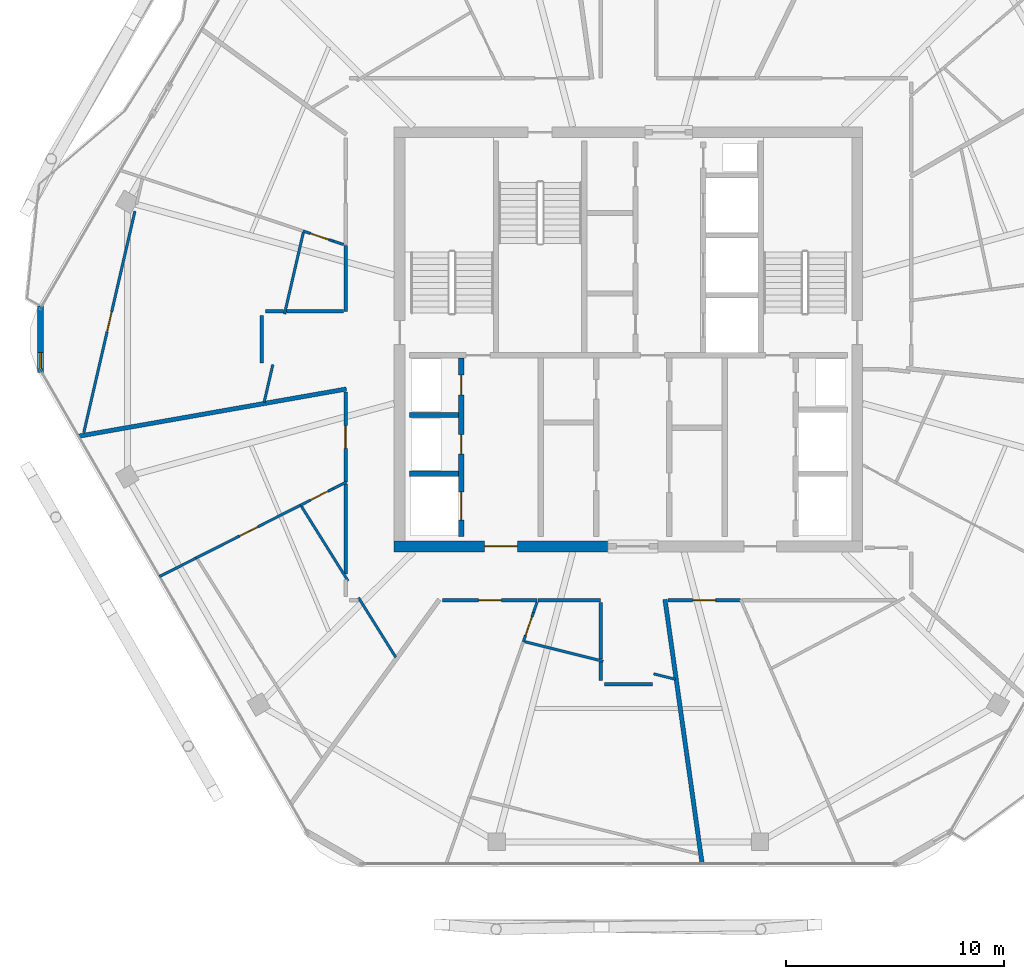
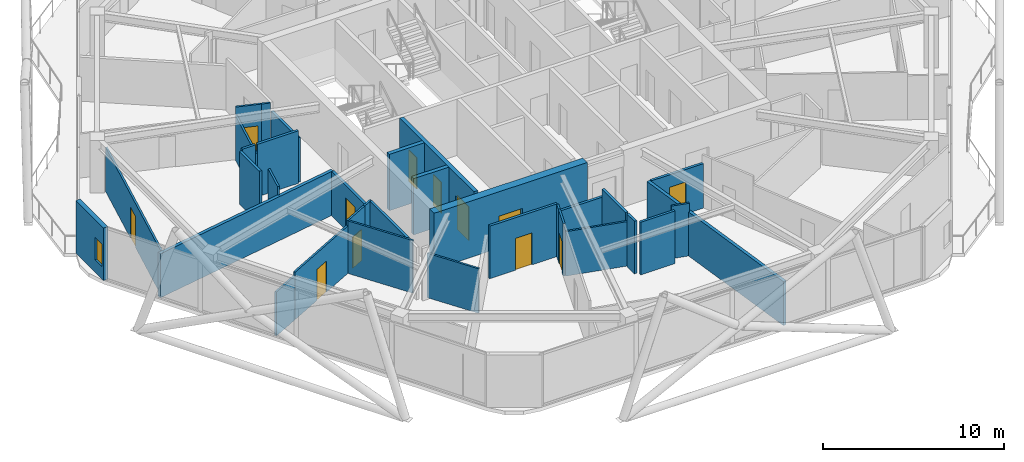
# One storey, part 16 of 23: 34 walls, 12 doors, 1 window, 13 openings.
"""IFC4 building model written with IfcOpenShell, lengths in metres."""

from ifc_helpers import new_model, si_unit, direction, frame, frame_2d, origin, place, context, subcontext, project, spatial, rectangle, extrude, material, layer, layer_set, type_object, element, fill, save


model = new_model("IFC4")

# Units and contexts
model_context = context("Model", 3, precision=1e-05, world=origin(), true_north=direction((0.0, 1.0)))
body_context = subcontext(model_context, "Body", "Model", "MODEL_VIEW")
ifc_project = project(units=[si_unit("LENGTHUNIT", "METRE"), si_unit("AREAUNIT", "SQUARE_METRE"), si_unit("VOLUMEUNIT", "CUBIC_METRE"), si_unit("PLANEANGLEUNIT", "RADIAN"), si_unit("MASSUNIT", "GRAM", prefix="KILO")], contexts=[model_context])

# Site, building, storey
site_placement = place(None, origin())
site = spatial("IfcSite", under=ifc_project, at=site_placement, CompositionType="ELEMENT")
building_placement = place(site_placement, origin())
building = spatial("IfcBuilding", under=site, at=building_placement, Name="Zuhravey Tower", CompositionType="ELEMENT")
storey_placement = place(building_placement, frame((0.0, 0.0, 315.800048828125)))
storey = spatial("IfcBuildingStorey", under=building, at=storey_placement, Name="L80", CompositionType="ELEMENT", Elevation=315.800048828125)

# Wall, opening, door
ifc_material_1 = material(Name="Concrete C50/60", Category="concrete")
ifc_layer_1 = layer(ifc_material_1, 0.5)
ifc_layer_set_1 = layer_set([ifc_layer_1], Name="Concrete C50/60")
wall_type_1 = type_object("IfcWallType", Name="Core Shear Wall 500", PredefinedType="SHEAR", material=ifc_layer_set_1)
wall_1_placement = place(storey_placement, frame((25.25, 22.5, 0.0), z_axis=(0.0, 0.0, 1.0), x_axis=(1.0, 0.0, 0.0)))
wall_1 = element("IfcWall", 1, at=wall_1_placement, inside=storey, type_object=wall_type_1, Name="L80 South-West Core Shear Wall CW50", PredefinedType="SHEAR", context=body_context, shape_type="SweptSolid", body=[
    extrude(rectangle(XDim=9.800048828125, YDim=0.5, at=frame_2d((4.89990234375, 0.0))), origin(), (0.0, 0.0, 1.0), 3.800048828125),
])
opening_1_placement = place(wall_1_placement, frame((4.14990234375, 0.0, 0.0)))
opening_1 = element("IfcOpeningElement", 2, at=opening_1_placement, cuts=wall_1, Name="Opening FFD1", PredefinedType="OPENING", context=body_context, shape_type="SweptSolid", body=[
    extrude(rectangle(XDim=1.5, YDim=2.14990234375, at=frame_2d((0.75, 1.074951171875))), frame((0.0, 0.261962890625, 0.0), z_axis=(0.0, -1.0, 0.0), x_axis=(1.0, 0.0, 0.0)), (0.0, 0.0, 1.0), 0.52392578125),
])
ifc_material_2 = material(Name="Galvanised fire-rated steel leaf", Category="steel")
door_type_1 = type_object("IfcDoorType", Name="Firefighting Lobby Double Door 1500x2150", OperationType="DOUBLE_DOOR_SINGLE_SWING", PredefinedType="DOOR", material=ifc_material_2)
door_1_placement = place(opening_1_placement, origin())
door_1 = element("IfcDoor", 3, at=door_1_placement, inside=storey, type_object=door_type_1, Name="L80 Firefighting Lobby West Door", OperationType="DOUBLE_DOOR_SINGLE_SWING", OverallHeight=2.14990234375, OverallWidth=1.5, PredefinedType="DOOR", context=body_context, shape_type="SweptSolid", body=[
    extrude(rectangle(XDim=1.5, YDim=2.14990234375, at=frame_2d((0.75, 1.074951171875))), frame((0.0, 0.02490234375, 0.0), z_axis=(0.0, -1.0, 0.0), x_axis=(1.0, 0.0, 0.0)), (0.0, 0.0, 1.0), 0.050048828125),
])
fill(opening_1, door_1)

ifc_material_3 = material(Name="Gypsum fire-rated stud partition")
ifc_layer_2 = layer(ifc_material_3, 0.159912109375)
ifc_layer_set_2 = layer_set([ifc_layer_2], Name="Gypsum fire-rated stud partition")
wall_type_2 = type_object("IfcWallType", Name="Corridor Fire Partition 160", PredefinedType="PARTITIONING", material=ifc_layer_set_2)
wall_2_placement = place(storey_placement, frame((23.02001953125, 29.573974609375, 0.0), z_axis=(0.0, 0.0, 1.0), x_axis=(0.0, -1.0, 0.0)))
wall_2 = element("IfcWall", 4, at=wall_2_placement, inside=storey, type_object=wall_type_2, Name="L80 IW16 Partition 031", PredefinedType="PARTITIONING", context=body_context, shape_type="SweptSolid", body=[
    extrude(rectangle(XDim=4.11962890625, YDim=0.159912109375, at=frame_2d((2.059814453125, 0.0))), origin(), (0.0, 0.0, 1.0), 3.0),
])
opening_2_placement = place(wall_2_placement, frame((1.534912109375, 0.0, 0.0)))
opening_2 = element("IfcOpeningElement", 5, at=opening_2_placement, cuts=wall_2, Name="Opening APD1", PredefinedType="OPENING", context=body_context, shape_type="SweptSolid", body=[
    extrude(rectangle(XDim=1.050048828125, YDim=2.14990234375, at=frame_2d((0.52490234375, 1.074951171875))), frame((0.0, 0.092041015625, 0.0), z_axis=(0.0, -1.0, 0.0), x_axis=(1.0, 0.0, 0.0)), (0.0, 0.0, 1.0), 0.183837890625),
])
ifc_material_4 = material(Name="Solid-core oak fire-rated leaf")
door_type_2 = type_object("IfcDoorType", Name="Apartment Entrance Fire Door 1050x2150", OperationType="NOTDEFINED", PredefinedType="DOOR", material=ifc_material_4)
door_2_placement = place(opening_2_placement, frame((1.050048828125, 0.0, 0.0), z_axis=(0.0, 0.0, 1.0), x_axis=(-1.0, 0.0, 0.0)))
door_2 = element("IfcDoor", 6, at=door_2_placement, inside=storey, type_object=door_type_2, Name="L80 Door 031.1", OperationType="SINGLE_SWING_RIGHT", OverallHeight=2.14990234375, OverallWidth=1.050048828125, PredefinedType="DOOR", context=body_context, shape_type="SweptSolid", body=[
    extrude(rectangle(XDim=1.050048828125, YDim=2.14990234375, at=frame_2d((0.52490234375, 1.074951171875))), frame((0.0, 0.02490234375, 0.0), z_axis=(0.0, -1.0, 0.0), x_axis=(1.0, 0.0, 0.0)), (0.0, 0.0, 1.0), 0.050048828125),
])
fill(opening_2, door_2)

wall_3_placement = place(storey_placement, frame((27.479248046875, 20.02001953125, 0.0), z_axis=(0.0, 0.0, 1.0), x_axis=(1.0, 0.0, 0.0)))
wall_3 = element("IfcWall", 7, at=wall_3_placement, inside=storey, type_object=wall_type_2, Name="L80 IW16 Partition 035", PredefinedType="PARTITIONING", context=body_context, shape_type="SweptSolid", body=[
    extrude(rectangle(XDim=4.337158203125, YDim=0.159912109375, at=frame_2d((2.16845703125, 0.0))), origin(), (0.0, 0.0, 1.0), 3.550048828125),
])
opening_3_placement = place(wall_3_placement, frame((1.6435546875, 0.0, 0.0)))
opening_3 = element("IfcOpeningElement", 8, at=opening_3_placement, cuts=wall_3, Name="Opening APD1", PredefinedType="OPENING", context=body_context, shape_type="SweptSolid", body=[
    extrude(rectangle(XDim=1.050048828125, YDim=2.14990234375, at=frame_2d((0.52490234375, 1.074951171875))), frame((0.0, 0.092041015625, 0.0), z_axis=(0.0, -1.0, 0.0), x_axis=(1.0, 0.0, 0.0)), (0.0, 0.0, 1.0), 0.183837890625),
])
door_3_placement = place(opening_3_placement, frame((1.050048828125, 0.0, 0.0), z_axis=(0.0, 0.0, 1.0), x_axis=(-1.0, 0.0, 0.0)))
door_3 = element("IfcDoor", 9, at=door_3_placement, inside=storey, type_object=door_type_2, Name="L80 Door 035.1", OperationType="SINGLE_SWING_RIGHT", OverallHeight=2.14990234375, OverallWidth=1.050048828125, PredefinedType="DOOR", context=body_context, shape_type="SweptSolid", body=[
    extrude(rectangle(XDim=1.050048828125, YDim=2.14990234375, at=frame_2d((0.52490234375, 1.074951171875))), frame((0.0, 0.02490234375, 0.0), z_axis=(0.0, -1.0, 0.0), x_axis=(1.0, 0.0, 0.0)), (0.0, 0.0, 1.0), 0.050048828125),
])
fill(opening_3, door_3)

wall_4_placement = place(storey_placement, frame((37.810546875, 20.02001953125, 0.0), z_axis=(0.0, 0.0, 1.0), x_axis=(1.0, 0.0, 0.0)))
wall_4 = element("IfcWall", 10, at=wall_4_placement, inside=storey, type_object=wall_type_2, Name="L80 IW16 Partition 039", PredefinedType="PARTITIONING", context=body_context, shape_type="SweptSolid", body=[
    extrude(rectangle(XDim=3.33203125, YDim=0.159912109375, at=frame_2d((1.666015625, 0.0))), origin(), (0.0, 0.0, 1.0), 3.0),
])
opening_4_placement = place(wall_4_placement, frame((1.14111328125, 0.0, 0.0)))
opening_4 = element("IfcOpeningElement", 11, at=opening_4_placement, cuts=wall_4, Name="Opening APD1", PredefinedType="OPENING", context=body_context, shape_type="SweptSolid", body=[
    extrude(rectangle(XDim=1.050048828125, YDim=2.14990234375, at=frame_2d((0.52490234375, 1.074951171875))), frame((0.0, 0.092041015625, 0.0), z_axis=(0.0, -1.0, 0.0), x_axis=(1.0, 0.0, 0.0)), (0.0, 0.0, 1.0), 0.183837890625),
])
door_4_placement = place(opening_4_placement, frame((1.050048828125, 0.0, 0.0), z_axis=(0.0, 0.0, 1.0), x_axis=(-1.0, 0.0, 0.0)))
door_4 = element("IfcDoor", 12, at=door_4_placement, inside=storey, type_object=door_type_2, Name="L80 Door 039.1", OperationType="SINGLE_SWING_RIGHT", OverallHeight=2.14990234375, OverallWidth=1.050048828125, PredefinedType="DOOR", context=body_context, shape_type="SweptSolid", body=[
    extrude(rectangle(XDim=1.050048828125, YDim=2.14990234375, at=frame_2d((0.52490234375, 1.074951171875))), frame((0.0, 0.02490234375, 0.0), z_axis=(0.0, -1.0, 0.0), x_axis=(1.0, 0.0, 0.0)), (0.0, 0.0, 1.0), 0.050048828125),
])
fill(opening_4, door_4)

# Walls
wall_5_placement = place(storey_placement, frame((23.02001953125, 36.296875, 0.0), z_axis=(0.0, 0.0, 1.0), x_axis=(0.0, -1.0, 0.0)))
element("IfcWall", 13, at=wall_5_placement, inside=storey, type_object=wall_type_2, Name="L80 IW16 Partition 096", PredefinedType="PARTITIONING", context=body_context, shape_type="SweptSolid", body=[
    extrude(rectangle(XDim=3.016845703125, YDim=0.159912109375, at=frame_2d((1.50830078125, 0.0))), origin(), (0.0, 0.0, 1.0), 3.0),
])
wall_6_placement = place(storey_placement, frame((22.931884765625, 33.280029296875, 0.0), z_axis=(0.0, 0.0, 1.0), x_axis=(-1.0, 0.0, 0.0)))
element("IfcWall", 14, at=wall_6_placement, inside=storey, type_object=wall_type_2, Name="L80 IW16 Partition 097", PredefinedType="PARTITIONING", context=body_context, shape_type="SweptSolid", body=[
    extrude(rectangle(XDim=2.6142578125, YDim=0.159912109375, at=frame_2d((1.30712890625, 0.0))), origin(), (0.0, 0.0, 1.0), 3.550048828125),
])
wall_7_placement = place(storey_placement, frame((19.169921875, 33.10009765625, 0.0), z_axis=(0.0, 0.0, 1.0), x_axis=(0.0, -1.0, 0.0)))
element("IfcWall", 15, at=wall_7_placement, inside=storey, type_object=wall_type_2, Name="L80 IW16 Partition 098", PredefinedType="PARTITIONING", context=body_context, shape_type="SweptSolid", body=[
    extrude(rectangle(XDim=2.2001953125, YDim=0.159912109375, at=frame_2d((1.10009765625, 0.0))), origin(), (0.0, 0.0, 1.0), 3.550048828125),
])
wall_8_placement = place(storey_placement, frame((20.177978515625, 33.280029296875, 0.0), z_axis=(0.0, 0.0, 1.0), x_axis=(-1.0, 0.0, 0.0)))
element("IfcWall", 16, at=wall_8_placement, inside=storey, type_object=wall_type_2, Name="L80 IW16 Partition 099", PredefinedType="PARTITIONING", context=body_context, shape_type="SweptSolid", body=[
    extrude(rectangle(XDim=0.827880859375, YDim=0.159912109375, at=frame_2d((0.4140625, 0.0))), origin(), (0.0, 0.0, 1.0), 3.550048828125),
])
wall_9_placement = place(storey_placement, frame((23.02001953125, 25.355712890625, 0.0), z_axis=(0.0, 0.0, 1.0), x_axis=(0.0, -1.0, 0.0)))
element("IfcWall", 17, at=wall_9_placement, inside=storey, type_object=wall_type_2, Name="L80 IW16 Partition 100", PredefinedType="PARTITIONING", context=body_context, shape_type="SweptSolid", body=[
    extrude(rectangle(XDim=4.131103515625, YDim=0.159912109375, at=frame_2d((2.0654296875, 0.0))), origin(), (0.0, 0.0, 1.0), 3.550048828125),
])
wall_10_placement = place(storey_placement, frame((31.858642578125, 20.02001953125, 0.0), z_axis=(0.0, 0.0, 1.0), x_axis=(1.0, 0.0, 0.0)))
element("IfcWall", 18, at=wall_10_placement, inside=storey, type_object=wall_type_2, Name="L80 IW16 Partition 103", PredefinedType="PARTITIONING", context=body_context, shape_type="SweptSolid", body=[
    extrude(rectangle(XDim=2.861328125, YDim=0.159912109375, at=frame_2d((1.4306640625, 0.0))), origin(), (0.0, 0.0, 1.0), 3.0),
])
wall_11_placement = place(storey_placement, frame((34.719970703125, 19.931884765625, 0.0), z_axis=(0.0, 0.0, 1.0), x_axis=(0.0, -1.0, 0.0)))
element("IfcWall", 19, at=wall_11_placement, inside=storey, type_object=wall_type_2, Name="L80 IW16 Partition 104", PredefinedType="PARTITIONING", context=body_context, shape_type="SweptSolid", body=[
    extrude(rectangle(XDim=2.60693359375, YDim=0.159912109375, at=frame_2d((1.303466796875, 0.0))), origin(), (0.0, 0.0, 1.0), 3.550048828125),
])
wall_12_placement = place(storey_placement, frame((34.89990234375, 16.169921875, 0.0), z_axis=(0.0, 0.0, 1.0), x_axis=(1.0, 0.0, 0.0)))
element("IfcWall", 20, at=wall_12_placement, inside=storey, type_object=wall_type_2, Name="L80 IW16 Partition 105", PredefinedType="PARTITIONING", context=body_context, shape_type="SweptSolid", body=[
    extrude(rectangle(XDim=2.2001953125, YDim=0.159912109375, at=frame_2d((1.10009765625, 0.0))), origin(), (0.0, 0.0, 1.0), 3.550048828125),
])
wall_13_placement = place(storey_placement, frame((34.719970703125, 17.184814453125, 0.0), z_axis=(0.0, 0.0, 1.0), x_axis=(0.0, -1.0, 0.0)))
element("IfcWall", 21, at=wall_13_placement, inside=storey, type_object=wall_type_2, Name="L80 IW16 Partition 106", PredefinedType="PARTITIONING", context=body_context, shape_type="SweptSolid", body=[
    extrude(rectangle(XDim=0.834716796875, YDim=0.159912109375, at=frame_2d((0.41748046875, 0.0))), origin(), (0.0, 0.0, 1.0), 3.550048828125),
])

# Wall, opening, window
ifc_material_5 = material(Name="Precast concrete C40/50", Category="concrete")
ifc_layer_3 = layer(ifc_material_5, 0.280029296875)
ifc_layer_set_3 = layer_set([ifc_layer_3], Name="Precast concrete C40/50")
wall_type_3 = type_object("IfcWallType", Name="Crown Architectural Wall 280", PredefinedType="SOLIDWALL", material=ifc_layer_set_3)
wall_14_placement = place(storey_placement, frame((9.031494140625, 30.467529296875, 0.0), z_axis=(0.0, 0.0, 1.0), x_axis=(0.0, 1.0, 0.0)))
wall_14 = element("IfcWall", 22, at=wall_14_placement, inside=storey, type_object=wall_type_3, Name="L80 Rounded Corner Closure Wall EW28-06", PredefinedType="SOLIDWALL", context=body_context, shape_type="SweptSolid", body=[
    extrude(rectangle(XDim=3.06494140625, YDim=0.280029296875, at=frame_2d((1.532470703125, 0.0))), origin(), (0.0, 0.0, 1.0), 3.550048828125),
])
opening_5_placement = place(wall_14_placement, frame((0.1728515625, 0.0, 0.85009765625)))
opening_5 = element("IfcOpeningElement", 23, at=opening_5_placement, cuts=wall_14, Name="Opening WN5", PredefinedType="OPENING", context=body_context, shape_type="SweptSolid", body=[
    extrude(rectangle(XDim=0.75, YDim=1.5, at=frame_2d((0.375, 0.75))), frame((0.0, 0.152099609375, 0.0), z_axis=(0.0, -1.0, 0.0), x_axis=(1.0, 0.0, 0.0)), (0.0, 0.0, 1.0), 0.303955078125),
])
ifc_material_6 = material(Name="Thermally broken aluminium and triple low-E glass", Category="aluminium")
window_type = type_object("IfcWindowType", Name="Residential Corner Casement Window 750x1500", PartitioningType="SINGLE_PANEL", PredefinedType="WINDOW", material=ifc_material_6)
window_placement = place(opening_5_placement, origin())
window = element("IfcWindow", 24, at=window_placement, inside=storey, type_object=window_type, Name="L80 Corner Casement Window WN5-06.1", OverallHeight=1.5, OverallWidth=0.75, PartitioningType="SINGLE_PANEL", PredefinedType="WINDOW", context=body_context, shape_type="SweptSolid", body=[
    extrude(rectangle(XDim=0.75, YDim=1.5, at=frame_2d((0.375, 0.75))), frame((0.0, 0.030029296875, 0.0), z_axis=(0.0, -1.0, 0.0), x_axis=(1.0, 0.0, 0.0)), (0.0, 0.0, 1.0), 0.06005859375),
])
fill(opening_5, window)

# Walls
ifc_layer_4 = layer(ifc_material_1, 0.25)
ifc_layer_set_4 = layer_set([ifc_layer_4], Name="Concrete C50/60")
wall_type_4 = type_object("IfcWallType", Name="Firefighting Shaft & Stair Wall 250", PredefinedType="SOLIDWALL", material=ifc_layer_set_4)
for number, where, z_axis, x_axis, name in (
    (25, (25.949951171875, 25.824951171875, 0.0), (0.0, 0.0, 1.0), (1.0, 0.0, 0.0), "L80 FW25 Shaft Wall 009"),
    (26, (25.949951171875, 28.52490234375, 0.0), (0.0, 0.0, 1.0), (1.0, 0.0, 0.0), "L80 FW25 Shaft Wall 010"),
):
    element("IfcWall", number, at=place(storey_placement, frame(where, z_axis=z_axis, x_axis=x_axis)), inside=storey, type_object=wall_type_4, Name=name, PredefinedType="SOLIDWALL", context=body_context, shape_type="SweptSolid", body=[
        extrude(rectangle(XDim=2.25, YDim=0.25, at=frame_2d((1.125, 0.0))), origin(), (0.0, 0.0, 1.0), 3.800048828125),
    ])

# Wall, openings, doors
wall_15_placement = place(storey_placement, frame((28.324951171875, 22.949951171875, 0.0), z_axis=(0.0, 0.0, 1.0), x_axis=(0.0, 1.0, 0.0)))
wall_15 = element("IfcWall", 27, at=wall_15_placement, inside=storey, type_object=wall_type_4, Name="L80 FW25 Shaft Wall 011", PredefinedType="SOLIDWALL", context=body_context, shape_type="SweptSolid", body=[
    extrude(rectangle(XDim=8.199951171875, YDim=0.25, at=frame_2d((4.10009765625, 0.0))), origin(), (0.0, 0.0, 1.0), 3.800048828125),
])
opening_6_placement = place(wall_15_placement, frame((0.75, 0.0, 0.0)))
opening_6 = element("IfcOpeningElement", 28, at=opening_6_placement, cuts=wall_15, Name="Opening LD2", PredefinedType="OPENING", context=body_context, shape_type="SweptSolid", body=[
    extrude(rectangle(XDim=1.300048828125, YDim=2.300048828125, at=frame_2d((0.64990234375, 1.14990234375))), frame((0.0, 0.136962890625, 0.0), z_axis=(0.0, -1.0, 0.0), x_axis=(1.0, 0.0, 0.0)), (0.0, 0.0, 1.0), 0.27392578125),
])
opening_7_placement = place(wall_15_placement, frame((3.780029296875, 0.0, 0.0)))
opening_7 = element("IfcOpeningElement", 29, at=opening_7_placement, cuts=wall_15, Name="Opening RSD1", PredefinedType="OPENING", context=body_context, shape_type="SweptSolid", body=[
    extrude(rectangle(XDim=0.89990234375, YDim=2.10009765625, at=frame_2d((0.449951171875, 1.050048828125))), frame((0.0, 0.136962890625, 0.0), z_axis=(0.0, -1.0, 0.0), x_axis=(1.0, 0.0, 0.0)), (0.0, 0.0, 1.0), 0.27392578125),
])
opening_8_placement = place(wall_15_placement, frame((6.5, 0.0, 0.0)))
opening_8 = element("IfcOpeningElement", 30, at=opening_8_placement, cuts=wall_15, Name="Opening RSD1", PredefinedType="OPENING", context=body_context, shape_type="SweptSolid", body=[
    extrude(rectangle(XDim=0.89990234375, YDim=2.10009765625, at=frame_2d((0.449951171875, 1.050048828125))), frame((0.0, 0.136962890625, 0.0), z_axis=(0.0, -1.0, 0.0), x_axis=(1.0, 0.0, 0.0)), (0.0, 0.0, 1.0), 0.27392578125),
])
ifc_material_7 = material(Name="Brushed stainless steel", Category="steel")
door_type_3 = type_object("IfcDoorType", Name="Freight & Stretcher Lift Sliding Door 1300x2300", OperationType="DOUBLE_DOOR_SLIDING", PredefinedType="DOOR", material=ifc_material_7)
door_5_placement = place(opening_6_placement, frame((1.300048828125, 0.0, 0.0), z_axis=(0.0, 0.0, 1.0), x_axis=(-1.0, 0.0, 0.0)))
door_5 = element("IfcDoor", 31, at=door_5_placement, inside=storey, type_object=door_type_3, Name="L80 Lift FF1 Landing Door", OperationType="DOUBLE_DOOR_SLIDING", OverallHeight=2.300048828125, OverallWidth=1.300048828125, PredefinedType="DOOR", context=body_context, shape_type="SweptSolid", body=[
    extrude(rectangle(XDim=1.300048828125, YDim=2.300048828125, at=frame_2d((0.64990234375, 1.14990234375))), frame((0.0, 0.02490234375, 0.0), z_axis=(0.0, -1.0, 0.0), x_axis=(1.0, 0.0, 0.0)), (0.0, 0.0, 1.0), 0.050048828125),
])
fill(opening_6, door_5)
ifc_material_8 = material(Name="Galvanised fire-rated steel access leaf", Category="steel")
door_type_4 = type_object("IfcDoorType", Name="Riser & Shaft Access Fire Door 900x2100", OperationType="NOTDEFINED", PredefinedType="DOOR", material=ifc_material_8)
door_6_placement = place(opening_7_placement, frame((0.89990234375, 0.0, 0.0), z_axis=(0.0, 0.0, 1.0), x_axis=(-1.0, 0.0, 0.0)))
door_6 = element("IfcDoor", 32, at=door_6_placement, inside=storey, type_object=door_type_4, Name="L80 Electrical Riser Door", OperationType="SINGLE_SWING_RIGHT", OverallHeight=2.10009765625, OverallWidth=0.89990234375, PredefinedType="DOOR", context=body_context, shape_type="SweptSolid", body=[
    extrude(rectangle(XDim=0.89990234375, YDim=2.10009765625, at=frame_2d((0.449951171875, 1.050048828125))), frame((0.0, 0.02490234375, 0.0), z_axis=(0.0, -1.0, 0.0), x_axis=(1.0, 0.0, 0.0)), (0.0, 0.0, 1.0), 0.050048828125),
])
fill(opening_7, door_6)
door_7_placement = place(opening_8_placement, frame((0.89990234375, 0.0, 0.0), z_axis=(0.0, 0.0, 1.0), x_axis=(-1.0, 0.0, 0.0)))
door_7 = element("IfcDoor", 33, at=door_7_placement, inside=storey, type_object=door_type_4, Name="L80 Smoke Shaft Access Door", OperationType="SINGLE_SWING_LEFT", OverallHeight=2.10009765625, OverallWidth=0.89990234375, PredefinedType="DOOR", context=body_context, shape_type="SweptSolid", body=[
    extrude(rectangle(XDim=0.89990234375, YDim=2.10009765625, at=frame_2d((0.449951171875, 1.050048828125))), frame((0.0, 0.02490234375, 0.0), z_axis=(0.0, -1.0, 0.0), x_axis=(1.0, 0.0, 0.0)), (0.0, 0.0, 1.0), 0.050048828125),
])
fill(opening_8, door_7)

# Walls
ifc_material_9 = material(Name="Gypsum double-stud party assembly")
ifc_layer_5 = layer(ifc_material_9, 0.199951171875)
ifc_layer_set_5 = layer_set([ifc_layer_5], Name="Gypsum double-stud party assembly")
wall_type_5 = type_object("IfcWallType", Name="Inter-Tenancy Party Wall 200", PredefinedType="PARTITIONING", material=ifc_layer_set_5)
wall_16_placement = place(storey_placement, frame((23.06005859375, 29.71826171875, 0.0), z_axis=(0.0, 0.0, 1.0), x_axis=(-0.984808757343, -0.173642481728, 0.0)))
element("IfcWall", 34, at=wall_16_placement, inside=storey, type_object=wall_type_5, Name="L80 IW20 Partition 069", PredefinedType="PARTITIONING", context=body_context, shape_type="SweptSolid", body=[
    extrude(rectangle(XDim=12.479736328125, YDim=0.199951171875, at=frame_2d((6.23974609375, 0.0))), origin(), (0.0, 0.0, 1.0), 2.969970703125),
])
wall_17_placement = place(storey_placement, frame((37.677978515625, 20.06005859375, 0.0), z_axis=(0.0, 0.0, 1.0), x_axis=(0.139169963781, -0.990268509638, 0.0)))
element("IfcWall", 35, at=wall_17_placement, inside=storey, type_object=wall_type_5, Name="L80 IW20 Partition 079", PredefinedType="PARTITIONING", context=body_context, shape_type="SweptSolid", body=[
    extrude(rectangle(XDim=12.25341796875, YDim=0.199951171875, at=frame_2d((6.126708984375, 0.0))), origin(), (0.0, 0.0, 1.0), 2.969970703125),
])

# Wall, opening, door
ifc_material_10 = material(Name="Gypsum metal-stud partition")
ifc_layer_6 = layer(ifc_material_10, 0.1201171875)
ifc_layer_set_6 = layer_set([ifc_layer_6], Name="Gypsum metal-stud partition")
wall_type_6 = type_object("IfcWallType", Name="Unit Internal Partition 120", PredefinedType="PARTITIONING", material=ifc_layer_set_6)
wall_18_placement = place(storey_placement, frame((22.449951171875, 36.507568359375, 0.0), z_axis=(0.0, 0.0, 1.0), x_axis=(-0.94886823131, 0.315672424532, 0.0)))
wall_18 = element("IfcWall", 36, at=wall_18_placement, inside=storey, type_object=wall_type_6, Name="L80 IW12 Partition 024", PredefinedType="PARTITIONING", context=body_context, shape_type="SweptSolid", body=[
    extrude(rectangle(XDim=1.450927734375, YDim=0.1201171875, at=frame_2d((0.7255859375, 0.0))), origin(), (0.0, 0.0, 1.0), 3.550048828125),
])
opening_9_placement = place(wall_18_placement, frame((0.199951171875, 0.0, 0.0)))
opening_9 = element("IfcOpeningElement", 37, at=opening_9_placement, cuts=wall_18, Name="Opening WCD1", PredefinedType="OPENING", context=body_context, shape_type="SweptSolid", body=[
    extrude(rectangle(XDim=0.89990234375, YDim=2.10009765625, at=frame_2d((0.449951171875, 1.050048828125))), frame((0.0, 0.072021484375, 0.0), z_axis=(0.0, -1.0, 0.0), x_axis=(1.0, 0.0, 0.0)), (0.0, 0.0, 1.0), 0.14404296875),
])
ifc_material_11 = material(Name="Moisture-resistant timber leaf", Category="wood")
door_type_5 = type_object("IfcDoorType", Name="Bathroom & WC Internal Door 900x2100", OperationType="NOTDEFINED", PredefinedType="DOOR", material=ifc_material_11)
door_8_placement = place(opening_9_placement, origin())
door_8 = element("IfcDoor", 38, at=door_8_placement, inside=storey, type_object=door_type_5, Name="Apartment L80-02 Bathroom Door", OperationType="SINGLE_SWING_LEFT", OverallHeight=2.10009765625, OverallWidth=0.89990234375, PredefinedType="DOOR", context=body_context, shape_type="SweptSolid", body=[
    extrude(rectangle(XDim=0.89990234375, YDim=2.10009765625, at=frame_2d((0.449951171875, 1.050048828125))), frame((0.0, 0.02490234375, 0.0), z_axis=(0.0, -1.0, 0.0), x_axis=(1.0, 0.0, 0.0)), (0.0, 0.0, 1.0), 0.050048828125),
])
fill(opening_9, door_8)

wall_19_placement = place(storey_placement, frame((13.3564453125, 37.88232421875, 0.0), z_axis=(0.0, 0.0, 1.0), x_axis=(-0.224948374829, -0.974370683396, 0.0)))
wall_19 = element("IfcWall", 39, at=wall_19_placement, inside=storey, type_object=wall_type_6, Name="L80 IW12 Partition 026", PredefinedType="PARTITIONING", context=body_context, shape_type="SweptSolid", body=[
    extrude(rectangle(XDim=10.43310546875, YDim=0.1201171875, at=frame_2d((5.216552734375, 0.0))), origin(), (0.0, 0.0, 1.0), 2.969970703125),
])
opening_10_placement = place(wall_19_placement, frame((4.74169921875, 0.0, 0.0)))
opening_10 = element("IfcOpeningElement", 40, at=opening_10_placement, cuts=wall_19, Name="Opening IND1", PredefinedType="OPENING", context=body_context, shape_type="SweptSolid", body=[
    extrude(rectangle(XDim=0.949951171875, YDim=2.10009765625, at=frame_2d((0.47509765625, 1.050048828125))), frame((0.0, 0.072021484375, 0.0), z_axis=(0.0, -1.0, 0.0), x_axis=(1.0, 0.0, 0.0)), (0.0, 0.0, 1.0), 0.14404296875),
])
ifc_material_12 = material(Name="Painted engineered timber leaf", Category="wood")
door_type_6 = type_object("IfcDoorType", Name="Internal Room & Bedroom Door 950x2100", OperationType="NOTDEFINED", PredefinedType="DOOR", material=ifc_material_12)
door_9_placement = place(opening_10_placement, frame((0.949951171875, 0.0, 0.0), z_axis=(0.0, 0.0, 1.0), x_axis=(-1.0, 0.0, 0.0)))
door_9 = element("IfcDoor", 41, at=door_9_placement, inside=storey, type_object=door_type_6, Name="Apartment L80-02 Bedroom 1 Door", OperationType="SINGLE_SWING_LEFT", OverallHeight=2.10009765625, OverallWidth=0.949951171875, PredefinedType="DOOR", context=body_context, shape_type="SweptSolid", body=[
    extrude(rectangle(XDim=0.949951171875, YDim=2.10009765625, at=frame_2d((0.47509765625, 1.050048828125))), frame((0.0, 0.02490234375, 0.0), z_axis=(0.0, -1.0, 0.0), x_axis=(1.0, 0.0, 0.0)), (0.0, 0.0, 1.0), 0.050048828125),
])
fill(opening_10, door_9)

wall_20_placement = place(storey_placement, frame((22.449951171875, 25.1435546875, 0.0), z_axis=(0.0, 0.0, 1.0), x_axis=(-0.892282910902, -0.451476695868, 0.0)))
wall_20 = element("IfcWall", 42, at=wall_20_placement, inside=storey, type_object=wall_type_6, Name="L80 IW12 Partition 028", PredefinedType="PARTITIONING", context=body_context, shape_type="SweptSolid", body=[
    extrude(rectangle(XDim=1.693115234375, YDim=0.1201171875, at=frame_2d((0.8466796875, 0.0))), origin(), (0.0, 0.0, 1.0), 3.550048828125),
])
opening_11_placement = place(wall_20_placement, frame((0.26123046875, 0.0, 0.0)))
opening_11 = element("IfcOpeningElement", 43, at=opening_11_placement, cuts=wall_20, Name="Opening WCD1", PredefinedType="OPENING", context=body_context, shape_type="SweptSolid", body=[
    extrude(rectangle(XDim=0.89990234375, YDim=2.10009765625, at=frame_2d((0.449951171875, 1.050048828125))), frame((0.0, 0.072021484375, 0.0), z_axis=(0.0, -1.0, 0.0), x_axis=(1.0, 0.0, 0.0)), (0.0, 0.0, 1.0), 0.14404296875),
])
door_10_placement = place(opening_11_placement, origin())
door_10 = element("IfcDoor", 44, at=door_10_placement, inside=storey, type_object=door_type_5, Name="Apartment L80-03 Bathroom Door", OperationType="SINGLE_SWING_LEFT", OverallHeight=2.10009765625, OverallWidth=0.89990234375, PredefinedType="DOOR", context=body_context, shape_type="SweptSolid", body=[
    extrude(rectangle(XDim=0.89990234375, YDim=2.10009765625, at=frame_2d((0.449951171875, 1.050048828125))), frame((0.0, 0.02490234375, 0.0), z_axis=(0.0, -1.0, 0.0), x_axis=(1.0, 0.0, 0.0)), (0.0, 0.0, 1.0), 0.050048828125),
])
fill(opening_11, door_10)

wall_21_placement = place(storey_placement, frame((20.939208984375, 24.379150390625, 0.0), z_axis=(0.0, 0.0, 1.0), x_axis=(-0.892264822084, -0.451512444205, 0.0)))
wall_21 = element("IfcWall", 45, at=wall_21_placement, inside=storey, type_object=wall_type_6, Name="L80 IW12 Partition 029", PredefinedType="PARTITIONING", context=body_context, shape_type="SweptSolid", body=[
    extrude(rectangle(XDim=5.354736328125, YDim=0.1201171875, at=frame_2d((2.67724609375, 0.0))), origin(), (0.0, 0.0, 1.0), 3.199951171875),
])
opening_12_placement = place(wall_21_placement, frame((2.17724609375, 0.0, 0.0)))
opening_12 = element("IfcOpeningElement", 46, at=opening_12_placement, cuts=wall_21, Name="Opening IND1", PredefinedType="OPENING", context=body_context, shape_type="SweptSolid", body=[
    extrude(rectangle(XDim=0.949951171875, YDim=2.10009765625, at=frame_2d((0.47509765625, 1.050048828125))), frame((0.0, 0.072021484375, 0.0), z_axis=(0.0, -1.0, 0.0), x_axis=(1.0, 0.0, 0.0)), (0.0, 0.0, 1.0), 0.14404296875),
])
door_11_placement = place(opening_12_placement, origin())
door_11 = element("IfcDoor", 47, at=door_11_placement, inside=storey, type_object=door_type_6, Name="Apartment L80-03 Home Office Door", OperationType="SINGLE_SWING_RIGHT", OverallHeight=2.10009765625, OverallWidth=0.949951171875, PredefinedType="DOOR", context=body_context, shape_type="SweptSolid", body=[
    extrude(rectangle(XDim=0.949951171875, YDim=2.10009765625, at=frame_2d((0.47509765625, 1.050048828125))), frame((0.0, 0.02490234375, 0.0), z_axis=(0.0, -1.0, 0.0), x_axis=(1.0, 0.0, 0.0)), (0.0, 0.0, 1.0), 0.050048828125),
])
fill(opening_12, door_11)

wall_22_placement = place(storey_placement, frame((31.639404296875, 19.449951171875, 0.0), z_axis=(0.0, 0.0, 1.0), x_axis=(-0.328259686912, -0.944587517358, 0.0)))
wall_22 = element("IfcWall", 48, at=wall_22_placement, inside=storey, type_object=wall_type_6, Name="L80 IW12 Partition 032", PredefinedType="PARTITIONING", context=body_context, shape_type="SweptSolid", body=[
    extrude(rectangle(XDim=1.415283203125, YDim=0.1201171875, at=frame_2d((0.70751953125, 0.0))), origin(), (0.0, 0.0, 1.0), 3.550048828125),
])
opening_13_placement = place(wall_22_placement, frame((0.199951171875, 0.0, 0.0)))
opening_13 = element("IfcOpeningElement", 49, at=opening_13_placement, cuts=wall_22, Name="Opening WCD1", PredefinedType="OPENING", context=body_context, shape_type="SweptSolid", body=[
    extrude(rectangle(XDim=0.89990234375, YDim=2.10009765625, at=frame_2d((0.449951171875, 1.050048828125))), frame((0.0, 0.072021484375, 0.0), z_axis=(0.0, -1.0, 0.0), x_axis=(1.0, 0.0, 0.0)), (0.0, 0.0, 1.0), 0.14404296875),
])
door_12_placement = place(opening_13_placement, origin())
door_12 = element("IfcDoor", 50, at=door_12_placement, inside=storey, type_object=door_type_5, Name="Apartment L80-04 Bathroom Door", OperationType="SINGLE_SWING_LEFT", OverallHeight=2.10009765625, OverallWidth=0.89990234375, PredefinedType="DOOR", context=body_context, shape_type="SweptSolid", body=[
    extrude(rectangle(XDim=0.89990234375, YDim=2.10009765625, at=frame_2d((0.449951171875, 1.050048828125))), frame((0.0, 0.02490234375, 0.0), z_axis=(0.0, -1.0, 0.0), x_axis=(1.0, 0.0, 0.0)), (0.0, 0.0, 1.0), 0.050048828125),
])
fill(opening_13, door_12)

# Walls
wall_23_placement = place(storey_placement, frame((22.931884765625, 36.34716796875, 0.0), z_axis=(0.0, 0.0, 1.0), x_axis=(-0.948827398112, 0.315795137062, 0.0)))
element("IfcWall", 51, at=wall_23_placement, inside=storey, type_object=wall_type_6, Name="L80 IW12 Partition 064", PredefinedType="PARTITIONING", context=body_context, shape_type="SweptSolid", body=[
    extrude(rectangle(XDim=0.5078125, YDim=0.1201171875, at=frame_2d((0.25390625, 0.0))), origin(), (0.0, 0.0, 1.0), 3.550048828125),
])
wall_24_placement = place(storey_placement, frame((21.08154296875, 36.89111328125, 0.0), z_axis=(0.0, 0.0, 1.0), x_axis=(-0.224929350613, -0.974375075232, 0.0)))
element("IfcWall", 52, at=wall_24_placement, inside=storey, type_object=wall_type_6, Name="L80 IW12 Partition 066", PredefinedType="PARTITIONING", context=body_context, shape_type="SweptSolid", body=[
    extrude(rectangle(XDim=3.829345703125, YDim=0.1201171875, at=frame_2d((1.91455078125, 0.0))), origin(), (0.0, 0.0, 1.0), 3.0),
])
wall_25_placement = place(storey_placement, frame((19.6845703125, 30.840087890625, 0.0), z_axis=(0.0, 0.0, 1.0), x_axis=(-0.22491945774, -0.974377358896, 0.0)))
element("IfcWall", 53, at=wall_25_placement, inside=storey, type_object=wall_type_6, Name="L80 IW12 Partition 067", PredefinedType="PARTITIONING", context=body_context, shape_type="SweptSolid", body=[
    extrude(rectangle(XDim=1.784423828125, YDim=0.1201171875, at=frame_2d((0.89208984375, 0.0))), origin(), (0.0, 0.0, 1.0), 3.550048828125),
])
wall_26_placement = place(storey_placement, frame((23.062255859375, 25.453369140625, 0.0), z_axis=(0.0, 0.0, 1.0), x_axis=(-0.892282355031, -0.451477794471, 0.0)))
element("IfcWall", 54, at=wall_26_placement, inside=storey, type_object=wall_type_6, Name="L80 IW12 Partition 070", PredefinedType="PARTITIONING", context=body_context, shape_type="SweptSolid", body=[
    extrude(rectangle(XDim=0.686279296875, YDim=0.1201171875, at=frame_2d((0.34326171875, 0.0))), origin(), (0.0, 0.0, 1.0), 3.550048828125),
])
wall_27_placement = place(storey_placement, frame((16.161376953125, 21.96142578125, 0.0), z_axis=(0.0, 0.0, 1.0), x_axis=(-0.892263035208, -0.451515975356, 0.0)))
element("IfcWall", 55, at=wall_27_placement, inside=storey, type_object=wall_type_6, Name="L80 IW12 Partition 071", PredefinedType="PARTITIONING", context=body_context, shape_type="SweptSolid", body=[
    extrude(rectangle(XDim=1.881591796875, YDim=0.1201171875, at=frame_2d((0.94091796875, 0.0))), origin(), (0.0, 0.0, 1.0), 2.969970703125),
])
wall_28_placement = place(storey_placement, frame((20.997802734375, 24.33251953125, 0.0), z_axis=(0.0, 0.0, 1.0), x_axis=(0.529874080143, -0.848076328636, 0.0)))
element("IfcWall", 56, at=wall_28_placement, inside=storey, type_object=wall_type_6, Name="L80 IW12 Partition 072", PredefinedType="PARTITIONING", context=body_context, shape_type="SweptSolid", body=[
    extrude(rectangle(XDim=4.042724609375, YDim=0.1201171875, at=frame_2d((2.021484375, 0.0))), origin(), (0.0, 0.0, 1.0), 3.550048828125),
])
wall_29_placement = place(storey_placement, frame((23.617431640625, 20.139892578125, 0.0), z_axis=(0.0, 0.0, 1.0), x_axis=(0.529937667558, -0.848036596205, 0.0)))
element("IfcWall", 57, at=wall_29_placement, inside=storey, type_object=wall_type_6, Name="L80 IW12 Partition 073", PredefinedType="PARTITIONING", context=body_context, shape_type="SweptSolid", body=[
    extrude(rectangle(XDim=3.223388671875, YDim=0.1201171875, at=frame_2d((1.61181640625, 0.0))), origin(), (0.0, 0.0, 1.0), 3.0),
])
wall_30_placement = place(storey_placement, frame((31.806884765625, 19.931884765625, 0.0), z_axis=(0.0, 0.0, 1.0), x_axis=(-0.328260778463, -0.944587138025, 0.0)))
element("IfcWall", 58, at=wall_30_placement, inside=storey, type_object=wall_type_6, Name="L80 IW12 Partition 075", PredefinedType="PARTITIONING", context=body_context, shape_type="SweptSolid", body=[
    extrude(rectangle(XDim=0.51025390625, YDim=0.1201171875, at=frame_2d((0.255126953125, 0.0))), origin(), (0.0, 0.0, 1.0), 3.550048828125),
])
wall_31_placement = place(storey_placement, frame((31.249267578125, 18.1201171875, 0.0), z_axis=(0.0, 0.0, 1.0), x_axis=(0.970297526706, -0.241914674356, 0.0)))
element("IfcWall", 59, at=wall_31_placement, inside=storey, type_object=wall_type_6, Name="L80 IW12 Partition 077", PredefinedType="PARTITIONING", context=body_context, shape_type="SweptSolid", body=[
    extrude(rectangle(XDim=3.70068359375, YDim=0.1201171875, at=frame_2d((1.850341796875, 0.0))), origin(), (0.0, 0.0, 1.0), 3.0),
])
wall_32_placement = place(storey_placement, frame((37.159912109375, 16.646484375, 0.0), z_axis=(0.0, 0.0, 1.0), x_axis=(0.970296375277, -0.241919292584, 0.0)))
element("IfcWall", 60, at=wall_32_placement, inside=storey, type_object=wall_type_6, Name="L80 IW12 Partition 078", PredefinedType="PARTITIONING", context=body_context, shape_type="SweptSolid", body=[
    extrude(rectangle(XDim=1.025390625, YDim=0.1201171875, at=frame_2d((0.5126953125, 0.0))), origin(), (0.0, 0.0, 1.0), 3.550048828125),
])

save(model, "model.ifc")
